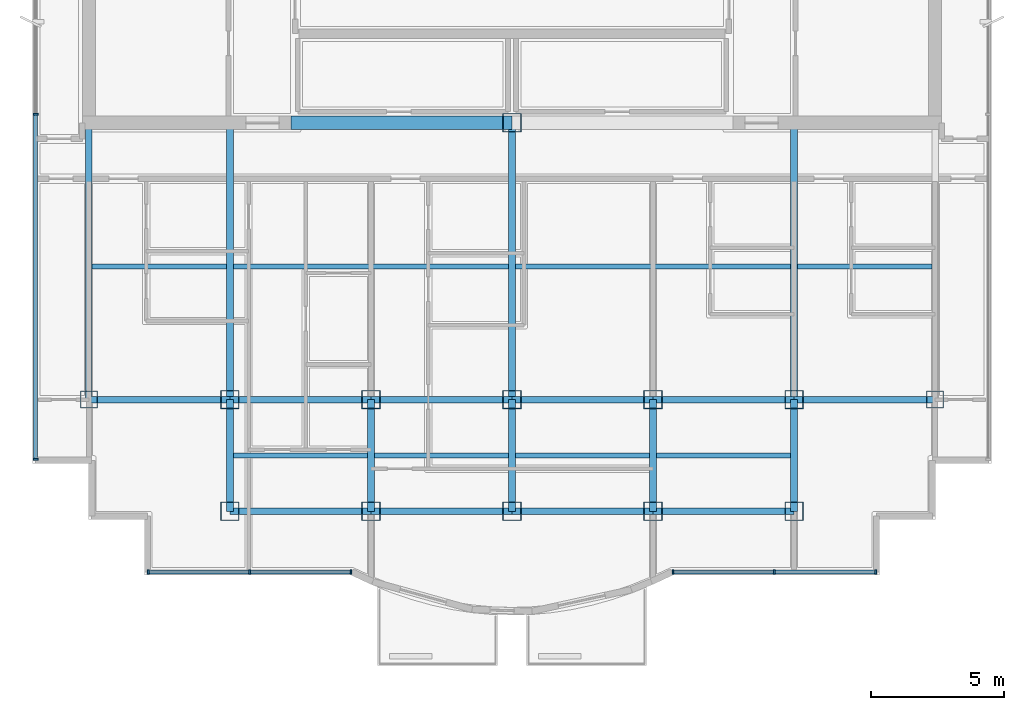
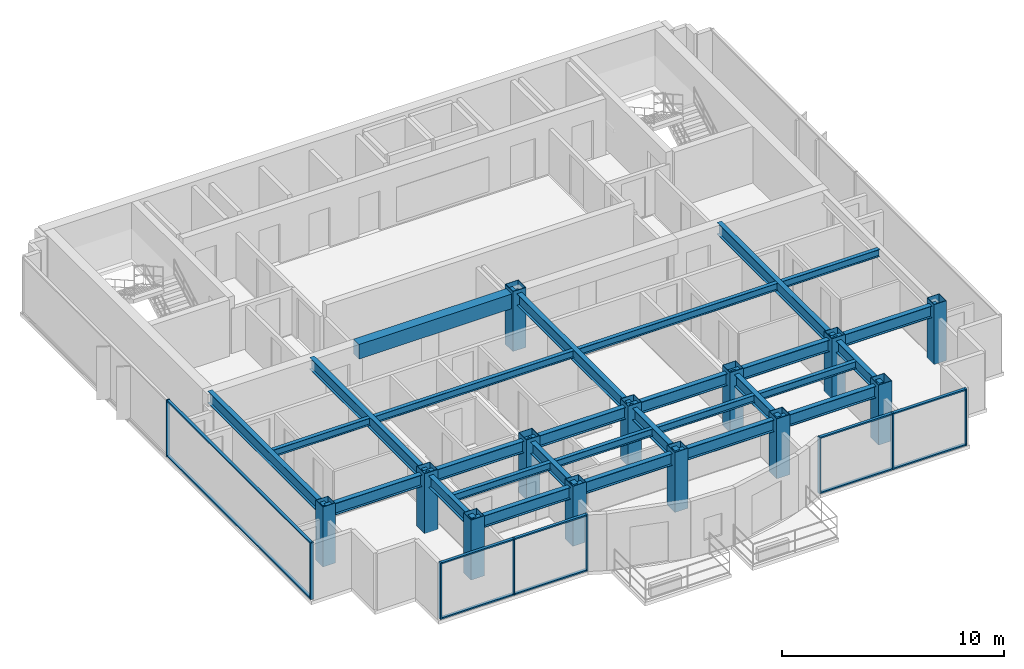
# One storey, part 1 of 10: 28 beams, 18 members, 13 columns, 3 elements without a shape of their own.
"""IFC4 building model written with IfcOpenShell, lengths in metres."""

from ifc_helpers import new_model, si_unit, direction, frame, origin, origin_2d, place, context, subcontext, project, spatial, rectangle, hollow_rectangle, i_section, extrude, source, transform, mapped, material, layer, layer_set, material_profile, profile_set, type_object, element, aggregate, save


model = new_model("IFC4")

# Units and contexts
model_context = context("Model", 3, precision=1e-05, world=origin(), true_north=direction((0.0, 1.0)))
body_context = subcontext(model_context, "Body", "Model", "MODEL_VIEW")
ifc_project = project(units=[si_unit("LENGTHUNIT", "METRE"), si_unit("AREAUNIT", "SQUARE_METRE"), si_unit("VOLUMEUNIT", "CUBIC_METRE"), si_unit("PLANEANGLEUNIT", "RADIAN"), si_unit("MASSUNIT", "GRAM", prefix="KILO")], contexts=[model_context])

# Site, building, storey
site_placement = place(None, origin())
site = spatial("IfcSite", under=ifc_project, at=site_placement, CompositionType="ELEMENT")
building_placement = place(site_placement, origin())
building = spatial("IfcBuilding", under=site, at=building_placement, Name="Qianlan Lanfeng Residences", CompositionType="ELEMENT")
storey_placement = place(building_placement, frame((0.0, 0.0, 239.60009765625)))
storey = spatial("IfcBuildingStorey", under=building, at=storey_placement, Name="L66", CompositionType="ELEMENT", Elevation=239.60009765625)

# Columns
ifc_material_1 = material(Name="Steel SN490B", Category="steel")
ifc_material_profile_1 = material_profile(ifc_material_1, hollow_rectangle(XDim=0.699951171875, YDim=0.699951171875, WallThickness=0.02490234375, at=origin_2d()), Name="BOX 700x700x25")
ifc_profile_set_1 = profile_set([ifc_material_profile_1], Name="Steel SN490B")
column_type_1 = type_object("IfcColumnType", Name="C-B750", PredefinedType="COLUMN", material=ifc_profile_set_1)
for number, where, z_axis, x_axis, name in (
    (1, (26.5, 25.199951171875, 0.0), (0.0, 0.0, 1.0), (1.0, 0.0, 0.0), "L66 Structural Column CP_26.5_25.2"),
    (2, (15.89990234375, 14.800048828125, 0.0), (0.0, 0.0, 1.0), (1.0, 0.0, 0.0), "L66 Structural Column M_15.90_14.80"),
    (3, (15.89990234375, 10.60009765625, 0.0), (0.0, 0.0, 1.0), (1.0, 0.0, 0.0), "L66 Structural Column G_15.90_10.60"),
    (4, (21.199951171875, 14.800048828125, 0.0), (0.0, 0.0, 1.0), (1.0, 0.0, 0.0), "L66 Structural Column M_21.20_14.80"),
    (5, (21.199951171875, 10.60009765625, 0.0), (0.0, 0.0, 1.0), (1.0, 0.0, 0.0), "L66 Structural Column G_21.20_10.60"),
    (6, (26.5, 14.800048828125, 0.0), (0.0, 0.0, 1.0), (1.0, 0.0, 0.0), "L66 Structural Column M_26.50_14.80"),
    (7, (26.5, 10.60009765625, 0.0), (0.0, 0.0, 1.0), (1.0, 0.0, 0.0), "L66 Structural Column G_26.50_10.60"),
    (8, (31.800048828125, 14.800048828125, 0.0), (0.0, 0.0, 1.0), (1.0, 0.0, 0.0), "L66 Structural Column M_31.80_14.80"),
    (9, (31.800048828125, 10.60009765625, 0.0), (0.0, 0.0, 1.0), (1.0, 0.0, 0.0), "L66 Structural Column G_31.80_10.60"),
    (10, (37.10009765625, 14.800048828125, 0.0), (0.0, 0.0, 1.0), (1.0, 0.0, 0.0), "L66 Structural Column M_37.10_14.80"),
    (11, (37.10009765625, 10.60009765625, 0.0), (0.0, 0.0, 1.0), (1.0, 0.0, 0.0), "L66 Structural Column G_37.10_10.60"),
):
    element("IfcColumn", number, at=place(storey_placement, frame(where, z_axis=z_axis, x_axis=x_axis)), inside=storey, type_object=column_type_1, Name=name, PredefinedType="COLUMN", context=body_context, shape_type="SweptSolid", body=[
        extrude(hollow_rectangle(XDim=0.699951171875, YDim=0.699951171875, WallThickness=0.02490234375, at=origin_2d()), origin(), (0.0, 0.0, 1.0), 3.2998046875),
    ])
ifc_material_profile_2 = material_profile(ifc_material_1, hollow_rectangle(XDim=0.64990234375, YDim=0.64990234375, WallThickness=0.02197265625, at=origin_2d()), Name="BOX 650x650x22")
ifc_profile_set_2 = profile_set([ifc_material_profile_2], Name="Steel SN490B")
column_type_2 = type_object("IfcColumnType", Name="CE-B700", PredefinedType="COLUMN", material=ifc_profile_set_2)
for number, where, z_axis, x_axis, name in (
    (12, (10.60009765625, 14.800048828125, 0.0), (0.0, 0.0, 1.0), (1.0, 0.0, 0.0), "L66 Structural Column M_10.60_14.80"),
    (13, (42.39990234375, 14.800048828125, 0.0), (0.0, 0.0, 1.0), (1.0, 0.0, 0.0), "L66 Structural Column M_42.40_14.80"),
):
    element("IfcColumn", number, at=place(storey_placement, frame(where, z_axis=z_axis, x_axis=x_axis)), inside=storey, type_object=column_type_2, Name=name, PredefinedType="COLUMN", context=body_context, shape_type="SweptSolid", body=[
        extrude(hollow_rectangle(XDim=0.64990234375, YDim=0.64990234375, WallThickness=0.02197265625, at=origin_2d()), origin(), (0.0, 0.0, 1.0), 3.2998046875),
    ])

# Beams
ifc_material_profile_3 = material_profile(ifc_material_1, i_section(OverallWidth=0.25, OverallDepth=0.64990234375, WebThickness=0.012939453125, FlangeThickness=0.02197265625, at=origin_2d()), Name="H 650x250x13x22")
ifc_profile_set_3 = profile_set([ifc_material_profile_3], Name="Steel SN490B")
beam_type_1 = type_object("IfcBeamType", Name="G-650", PredefinedType="BEAM", material=ifc_profile_set_3)
for number, where, z_axis, x_axis, name in (
    (14, (15.89990234375, 10.60009765625, 2.784912109375), (1.0, 0.0, 0.0), (0.0, 1.0, 0.0), "Structural beam G-650"),
    (15, (21.199951171875, 10.60009765625, 2.784912109375), (1.0, 0.0, 0.0), (0.0, 1.0, 0.0), "Structural beam G-650"),
    (16, (26.5, 10.60009765625, 2.784912109375), (1.0, 0.0, 0.0), (0.0, 1.0, 0.0), "Structural beam G-650"),
    (17, (31.800048828125, 10.60009765625, 2.784912109375), (1.0, 0.0, 0.0), (0.0, 1.0, 0.0), "Structural beam G-650"),
):
    element("IfcBeam", number, at=place(storey_placement, frame(where, z_axis=z_axis, x_axis=x_axis)), inside=storey, type_object=beam_type_1, Name=name, PredefinedType="BEAM", context=body_context, shape_type="SweptSolid", body=[
        extrude(i_section(OverallWidth=0.25, OverallDepth=0.64990234375, WebThickness=0.012939453125, FlangeThickness=0.02197265625, at=origin_2d()), origin(), (0.0, 0.0, 1.0), 5.300048828125),
    ])
beam_1_placement = place(storey_placement, frame((10.60009765625, 14.800048828125, 2.784912109375), z_axis=(1.0, 0.0, 0.0), x_axis=(0.0, 1.0, 0.0)))
element("IfcBeam", 18, at=beam_1_placement, inside=storey, type_object=beam_type_1, Name="Structural beam G-650", PredefinedType="BEAM", context=body_context, shape_type="SweptSolid", body=[
    extrude(i_section(OverallWidth=0.25, OverallDepth=0.64990234375, WebThickness=0.012939453125, FlangeThickness=0.02197265625, at=origin_2d()), origin(), (0.0, 0.0, 1.0), 5.2998046875),
])
for number, where, z_axis, x_axis, name in (
    (19, (15.89990234375, 14.800048828125, 2.784912109375), (1.0, 0.0, 0.0), (0.0, 1.0, 0.0), "Structural beam G-650"),
    (20, (21.199951171875, 14.800048828125, 2.784912109375), (1.0, 0.0, 0.0), (0.0, 1.0, 0.0), "Structural beam G-650"),
    (21, (26.5, 14.800048828125, 2.784912109375), (1.0, 0.0, 0.0), (0.0, 1.0, 0.0), "Structural beam G-650"),
    (22, (31.800048828125, 14.800048828125, 2.784912109375), (1.0, 0.0, 0.0), (0.0, 1.0, 0.0), "Structural beam G-650"),
):
    element("IfcBeam", number, at=place(storey_placement, frame(where, z_axis=z_axis, x_axis=x_axis)), inside=storey, type_object=beam_type_1, Name=name, PredefinedType="BEAM", context=body_context, shape_type="SweptSolid", body=[
        extrude(i_section(OverallWidth=0.25, OverallDepth=0.64990234375, WebThickness=0.012939453125, FlangeThickness=0.02197265625, at=origin_2d()), origin(), (0.0, 0.0, 1.0), 5.300048828125),
    ])
beam_2_placement = place(storey_placement, frame((37.10009765625, 14.800048828125, 2.784912109375), z_axis=(1.0, 0.0, 0.0), x_axis=(0.0, 1.0, 0.0)))
element("IfcBeam", 23, at=beam_2_placement, inside=storey, type_object=beam_type_1, Name="Structural beam G-650", PredefinedType="BEAM", context=body_context, shape_type="SweptSolid", body=[
    extrude(i_section(OverallWidth=0.25, OverallDepth=0.64990234375, WebThickness=0.012939453125, FlangeThickness=0.02197265625, at=origin_2d()), origin(), (0.0, 0.0, 1.0), 5.2998046875),
])
beam_3_placement = place(storey_placement, frame((10.60009765625, 14.800048828125, 2.784912109375), z_axis=(0.0, 1.0, 0.0), x_axis=(-1.0, 0.0, 0.0)))
element("IfcBeam", 24, at=beam_3_placement, inside=storey, type_object=beam_type_1, Name="Structural beam G-650", PredefinedType="BEAM", context=body_context, shape_type="SweptSolid", body=[
    extrude(i_section(OverallWidth=0.25, OverallDepth=0.64990234375, WebThickness=0.012939453125, FlangeThickness=0.02197265625, at=origin_2d()), origin(), (0.0, 0.0, 1.0), 10.39990234375),
])
beam_4_placement = place(storey_placement, frame((15.89990234375, 10.60009765625, 2.784912109375), z_axis=(0.0, 1.0, 0.0), x_axis=(-1.0, 0.0, 0.0)))
element("IfcBeam", 25, at=beam_4_placement, inside=storey, type_object=beam_type_1, Name="Structural beam G-650", PredefinedType="BEAM", context=body_context, shape_type="SweptSolid", body=[
    extrude(i_section(OverallWidth=0.25, OverallDepth=0.64990234375, WebThickness=0.012939453125, FlangeThickness=0.02197265625, at=origin_2d()), origin(), (0.0, 0.0, 1.0), 4.199951171875),
])
beam_5_placement = place(storey_placement, frame((15.89990234375, 14.800048828125, 2.784912109375), z_axis=(0.0, 1.0, 0.0), x_axis=(-1.0, 0.0, 0.0)))
element("IfcBeam", 26, at=beam_5_placement, inside=storey, type_object=beam_type_1, Name="Structural beam G-650", PredefinedType="BEAM", context=body_context, shape_type="SweptSolid", body=[
    extrude(i_section(OverallWidth=0.25, OverallDepth=0.64990234375, WebThickness=0.012939453125, FlangeThickness=0.02197265625, at=origin_2d()), origin(), (0.0, 0.0, 1.0), 10.39990234375),
])
for number, where, z_axis, x_axis, name in (
    (27, (21.199951171875, 10.60009765625, 2.784912109375), (0.0, 1.0, 0.0), (-1.0, 0.0, 0.0), "Structural beam G-650"),
    (28, (26.5, 10.60009765625, 2.784912109375), (0.0, 1.0, 0.0), (-1.0, 0.0, 0.0), "Structural beam G-650"),
):
    element("IfcBeam", number, at=place(storey_placement, frame(where, z_axis=z_axis, x_axis=x_axis)), inside=storey, type_object=beam_type_1, Name=name, PredefinedType="BEAM", context=body_context, shape_type="SweptSolid", body=[
        extrude(i_section(OverallWidth=0.25, OverallDepth=0.64990234375, WebThickness=0.012939453125, FlangeThickness=0.02197265625, at=origin_2d()), origin(), (0.0, 0.0, 1.0), 4.199951171875),
    ])
beam_6_placement = place(storey_placement, frame((26.5, 14.800048828125, 2.784912109375), z_axis=(0.0, 1.0, 0.0), x_axis=(-1.0, 0.0, 0.0)))
element("IfcBeam", 29, at=beam_6_placement, inside=storey, type_object=beam_type_1, Name="Structural beam G-650", PredefinedType="BEAM", context=body_context, shape_type="SweptSolid", body=[
    extrude(i_section(OverallWidth=0.25, OverallDepth=0.64990234375, WebThickness=0.012939453125, FlangeThickness=0.02197265625, at=origin_2d()), origin(), (0.0, 0.0, 1.0), 10.39990234375),
])
for number, where, z_axis, x_axis, name in (
    (30, (31.800048828125, 10.60009765625, 2.784912109375), (0.0, 1.0, 0.0), (-1.0, 0.0, 0.0), "Structural beam G-650"),
    (31, (37.10009765625, 10.60009765625, 2.784912109375), (0.0, 1.0, 0.0), (-1.0, 0.0, 0.0), "Structural beam G-650"),
):
    element("IfcBeam", number, at=place(storey_placement, frame(where, z_axis=z_axis, x_axis=x_axis)), inside=storey, type_object=beam_type_1, Name=name, PredefinedType="BEAM", context=body_context, shape_type="SweptSolid", body=[
        extrude(i_section(OverallWidth=0.25, OverallDepth=0.64990234375, WebThickness=0.012939453125, FlangeThickness=0.02197265625, at=origin_2d()), origin(), (0.0, 0.0, 1.0), 4.199951171875),
    ])
beam_7_placement = place(storey_placement, frame((37.10009765625, 14.800048828125, 2.784912109375), z_axis=(0.0, 1.0, 0.0), x_axis=(-1.0, 0.0, 0.0)))
element("IfcBeam", 32, at=beam_7_placement, inside=storey, type_object=beam_type_1, Name="Structural beam G-650", PredefinedType="BEAM", context=body_context, shape_type="SweptSolid", body=[
    extrude(i_section(OverallWidth=0.25, OverallDepth=0.64990234375, WebThickness=0.012939453125, FlangeThickness=0.02197265625, at=origin_2d()), origin(), (0.0, 0.0, 1.0), 10.39990234375),
])
ifc_material_profile_4 = material_profile(ifc_material_1, i_section(OverallWidth=0.199951171875, OverallDepth=0.39990234375, WebThickness=0.008056640625, FlangeThickness=0.012939453125, at=origin_2d()), Name="H 400x200x8x13")
ifc_profile_set_4 = profile_set([ifc_material_profile_4], Name="Steel SN490B")
beam_type_2 = type_object("IfcBeamType", Name="J-400", PredefinedType="JOIST", material=ifc_profile_set_4)
for number, where, z_axis, x_axis, name in (
    (33, (16.02490234375, 12.699951171875, 2.909912109375), (1.0, 0.0, 0.0), (0.0, 1.0, 0.0), "Structural beam J-400"),
    (34, (21.324951171875, 12.699951171875, 2.909912109375), (1.0, 0.0, 0.0), (0.0, 1.0, 0.0), "Structural beam J-400"),
    (35, (26.625, 12.699951171875, 2.909912109375), (1.0, 0.0, 0.0), (0.0, 1.0, 0.0), "Structural beam J-400"),
    (36, (31.925048828125, 12.699951171875, 2.909912109375), (1.0, 0.0, 0.0), (0.0, 1.0, 0.0), "Structural beam J-400"),
):
    element("IfcBeam", number, at=place(storey_placement, frame(where, z_axis=z_axis, x_axis=x_axis)), inside=storey, type_object=beam_type_2, Name=name, PredefinedType="JOIST", context=body_context, shape_type="SweptSolid", body=[
        extrude(i_section(OverallWidth=0.199951171875, OverallDepth=0.39990234375, WebThickness=0.008056640625, FlangeThickness=0.012939453125, at=origin_2d()), origin(), (0.0, 0.0, 1.0), 5.050048828125),
    ])
beam_8_placement = place(storey_placement, frame((10.72509765625, 19.800048828125, 2.909912109375), z_axis=(1.0, 0.0, 0.0), x_axis=(0.0, 1.0, 0.0)))
element("IfcBeam", 37, at=beam_8_placement, inside=storey, type_object=beam_type_2, Name="Structural beam J-400", PredefinedType="JOIST", context=body_context, shape_type="SweptSolid", body=[
    extrude(i_section(OverallWidth=0.199951171875, OverallDepth=0.39990234375, WebThickness=0.008056640625, FlangeThickness=0.012939453125, at=origin_2d()), origin(), (0.0, 0.0, 1.0), 5.0498046875),
])
for number, where, z_axis, x_axis, name in (
    (38, (16.02490234375, 19.800048828125, 2.909912109375), (1.0, 0.0, 0.0), (0.0, 1.0, 0.0), "Structural beam J-400"),
    (39, (26.625, 19.800048828125, 2.909912109375), (1.0, 0.0, 0.0), (0.0, 1.0, 0.0), "Structural beam J-400"),
):
    element("IfcBeam", number, at=place(storey_placement, frame(where, z_axis=z_axis, x_axis=x_axis)), inside=storey, type_object=beam_type_2, Name=name, PredefinedType="JOIST", context=body_context, shape_type="SweptSolid", body=[
        extrude(i_section(OverallWidth=0.199951171875, OverallDepth=0.39990234375, WebThickness=0.008056640625, FlangeThickness=0.012939453125, at=origin_2d()), origin(), (0.0, 0.0, 1.0), 10.35009765625),
    ])
beam_9_placement = place(storey_placement, frame((37.22509765625, 19.800048828125, 2.909912109375), z_axis=(1.0, 0.0, 0.0), x_axis=(0.0, 1.0, 0.0)))
element("IfcBeam", 40, at=beam_9_placement, inside=storey, type_object=beam_type_2, Name="Structural beam J-400", PredefinedType="JOIST", context=body_context, shape_type="SweptSolid", body=[
    extrude(i_section(OverallWidth=0.199951171875, OverallDepth=0.39990234375, WebThickness=0.008056640625, FlangeThickness=0.012939453125, at=origin_2d()), origin(), (0.0, 0.0, 1.0), 5.0498046875),
])
ifc_material_2 = material(Name="Concrete C49", Category="concrete")
ifc_material_profile_5 = material_profile(ifc_material_2, rectangle(XDim=0.5, YDim=0.800048828125, at=origin_2d()), Name="RC 500x800")
ifc_profile_set_5 = profile_set([ifc_material_profile_5], Name="Concrete C49")
beam_type_3 = type_object("IfcBeamType", Name="LB-RC750", PredefinedType="BEAM", material=ifc_profile_set_5)
beam_10_placement = place(storey_placement, frame((18.199951171875, 25.199951171875, 2.7099609375), z_axis=(1.0, 0.0, 0.0), x_axis=(0.0, 1.0, 0.0)))
element("IfcBeam", 41, at=beam_10_placement, inside=storey, type_object=beam_type_3, Name="L66 Core Coupling Beam W", PredefinedType="BEAM", context=body_context, shape_type="SweptSolid", body=[
    extrude(rectangle(XDim=0.5, YDim=0.800048828125, at=origin_2d()), origin(), (0.0, 0.0, 1.0), 8.300048828125),
])

# Curtain wall, members
ifc_material_3 = material(Name="Anodised Bronze Aluminium 6063-T6", Category="aluminium")
ifc_layer = layer(ifc_material_3, 0.219970703125)
ifc_layer_set = layer_set([ifc_layer], Name="Anodised Bronze Aluminium 6063-T6")
curtain_wall_type = type_object("IfcCurtainWallType", Name="CW-06", PredefinedType="NOTDEFINED", material=ifc_layer_set)
curtain_wall_1_placement = place(storey_placement, origin())
curtain_wall_1 = element("IfcCurtainWall", 42, at=curtain_wall_1_placement, inside=storey, type_object=curtain_wall_type, Name="L66 Unitised Curtain Wall CWR-L66-01 (CW-06)", PredefinedType="NOTDEFINED")
ifc_material_profile_6 = material_profile(ifc_material_3, rectangle(XDim=0.074951171875, YDim=0.179931640625, at=origin_2d()), Name="ALU MULLION 75x180")
ifc_profile_set_6 = profile_set([ifc_material_profile_6], Name="Anodised Bronze Aluminium 6063-T6")
member_type_1 = type_object("IfcMemberType", Name="CWM-180", PredefinedType="MULLION", material=ifc_profile_set_6)
shared_shape_1 = source(origin(), body_context, "Body", "SweptSolid", [
    extrude(rectangle(XDim=0.074951171875, YDim=0.179931640625, at=origin_2d()), origin(), (0.0, 0.0, 1.0), 3.10986328125),
])
member_1_placement = place(storey_placement, frame((12.83740234375, 8.320068359375, 0.0), z_axis=(0.0, 0.0, 1.0), x_axis=(1.0, 0.0, 0.0)))
member_1 = element("IfcMember", 43, at=member_1_placement, type_object=member_type_1, Name="CWR-L66-01 Mullion 1", PredefinedType="MULLION", context=body_context, shape_type="MappedRepresentation", body=[
    mapped(shared_shape_1, transform((0.0, 0.0, 0.0), scale=1.0)),
])
member_2_placement = place(storey_placement, frame((16.6435546875, 8.320068359375, 0.0), z_axis=(0.0, 0.0, 1.0), x_axis=(1.0, 0.0, 0.0)))
member_2 = element("IfcMember", 44, at=member_2_placement, type_object=member_type_1, Name="CWR-L66-01 Mullion 2", PredefinedType="MULLION", context=body_context, shape_type="MappedRepresentation", body=[
    mapped(shared_shape_1, transform((0.0, 0.0, 0.0), scale=1.0)),
])
member_3_placement = place(storey_placement, frame((20.449462890625, 8.320068359375, 0.0), z_axis=(0.0, 0.0, 1.0), x_axis=(1.0, 0.0, 0.0)))
member_3 = element("IfcMember", 45, at=member_3_placement, type_object=member_type_1, Name="CWR-L66-01 Mullion 3", PredefinedType="MULLION", context=body_context, shape_type="MappedRepresentation", body=[
    mapped(shared_shape_1, transform((0.0, 0.0, 0.0), scale=1.0)),
])

curtain_wall_2_placement = place(storey_placement, origin())
curtain_wall_2 = element("IfcCurtainWall", 46, at=curtain_wall_2_placement, inside=storey, type_object=curtain_wall_type, Name="L66 Unitised Curtain Wall CWR-L66-02 (CW-06)", PredefinedType="NOTDEFINED")
member_4_placement = place(storey_placement, frame((32.550537109375, 8.320068359375, 0.0), z_axis=(0.0, 0.0, 1.0), x_axis=(1.0, 0.0, 0.0)))
member_4 = element("IfcMember", 47, at=member_4_placement, type_object=member_type_1, Name="CWR-L66-02 Mullion 1", PredefinedType="MULLION", context=body_context, shape_type="MappedRepresentation", body=[
    mapped(shared_shape_1, transform((0.0, 0.0, 0.0), scale=1.0)),
])
member_5_placement = place(storey_placement, frame((36.3564453125, 8.320068359375, 0.0), z_axis=(0.0, 0.0, 1.0), x_axis=(1.0, 0.0, 0.0)))
member_5 = element("IfcMember", 48, at=member_5_placement, type_object=member_type_1, Name="CWR-L66-02 Mullion 2", PredefinedType="MULLION", context=body_context, shape_type="MappedRepresentation", body=[
    mapped(shared_shape_1, transform((0.0, 0.0, 0.0), scale=1.0)),
])
member_6_placement = place(storey_placement, frame((40.16259765625, 8.320068359375, 0.0), z_axis=(0.0, 0.0, 1.0), x_axis=(1.0, 0.0, 0.0)))
member_6 = element("IfcMember", 49, at=member_6_placement, type_object=member_type_1, Name="CWR-L66-02 Mullion 3", PredefinedType="MULLION", context=body_context, shape_type="MappedRepresentation", body=[
    mapped(shared_shape_1, transform((0.0, 0.0, 0.0), scale=1.0)),
])

curtain_wall_3_placement = place(storey_placement, origin())
curtain_wall_3 = element("IfcCurtainWall", 50, at=curtain_wall_3_placement, inside=storey, type_object=curtain_wall_type, Name="L66 Unitised Curtain Wall CWR-L66-04 (CW-06)", PredefinedType="NOTDEFINED")
member_7_placement = place(storey_placement, frame((8.60009765625, 25.52490234375, 0.0), z_axis=(0.0, 0.0, 1.0), x_axis=(0.0, -1.0, 0.0)))
member_7 = element("IfcMember", 51, at=member_7_placement, type_object=member_type_1, Name="CWR-L66-04 Mullion 2", PredefinedType="MULLION", context=body_context, shape_type="MappedRepresentation", body=[
    mapped(shared_shape_1, transform((0.0, 0.0, 0.0), scale=1.0)),
])
member_8_placement = place(storey_placement, frame((8.60009765625, 12.5576171875, 0.0), z_axis=(0.0, 0.0, 1.0), x_axis=(0.0, -1.0, 0.0)))
member_8 = element("IfcMember", 52, at=member_8_placement, type_object=member_type_1, Name="CWR-L66-04 Mullion 3", PredefinedType="MULLION", context=body_context, shape_type="MappedRepresentation", body=[
    mapped(shared_shape_1, transform((0.0, 0.0, 0.0), scale=1.0)),
])

# Member
ifc_material_profile_7 = material_profile(ifc_material_3, rectangle(XDim=0.074951171875, YDim=0.14990234375, at=origin_2d()), Name="ALU TRANSOM 75x150")
ifc_profile_set_7 = profile_set([ifc_material_profile_7], Name="Anodised Bronze Aluminium 6063-T6")
member_type_2 = type_object("IfcMemberType", Name="CWT-150", PredefinedType="USERDEFINED", material=ifc_profile_set_7)
shared_shape_2 = source(origin(), body_context, "Body", "SweptSolid", [
    extrude(rectangle(XDim=0.074951171875, YDim=0.14990234375, at=origin_2d()), origin(), (0.0, 0.0, 1.0), 3.73095703125),
])
member_9_placement = place(storey_placement, frame((12.875, 8.320068359375, 0.037353515625), z_axis=(1.0, 0.0, 0.0), x_axis=(0.0, 0.0, 1.0)))
member_9 = element("IfcMember", 53, at=member_9_placement, type_object=member_type_2, Name="CWR-L66-01 Transom 1-BOT", ObjectType="TRANSOM", PredefinedType="USERDEFINED", context=body_context, shape_type="MappedRepresentation", body=[
    mapped(shared_shape_2, transform((0.0, 0.0, 0.0), scale=1.0)),
])

member_10_placement = place(storey_placement, frame((12.875, 8.320068359375, 3.072509765625), z_axis=(1.0, 0.0, 0.0), x_axis=(0.0, 0.0, 1.0)))
member_10 = element("IfcMember", 54, at=member_10_placement, type_object=member_type_2, Name="CWR-L66-01 Transom 1-TOP", ObjectType="TRANSOM", PredefinedType="USERDEFINED", context=body_context, shape_type="MappedRepresentation", body=[
    mapped(shared_shape_2, transform((0.0, 0.0, 0.0), scale=1.0)),
])

member_11_placement = place(storey_placement, frame((36.39404296875, 8.320068359375, 0.037353515625), z_axis=(1.0, 0.0, 0.0), x_axis=(0.0, 0.0, 1.0)))
member_11 = element("IfcMember", 55, at=member_11_placement, type_object=member_type_2, Name="CWR-L66-02 Transom 2-BOT", ObjectType="TRANSOM", PredefinedType="USERDEFINED", context=body_context, shape_type="MappedRepresentation", body=[
    mapped(shared_shape_2, transform((0.0, 0.0, 0.0), scale=1.0)),
])

member_12_placement = place(storey_placement, frame((36.39404296875, 8.320068359375, 3.072509765625), z_axis=(1.0, 0.0, 0.0), x_axis=(0.0, 0.0, 1.0)))
member_12 = element("IfcMember", 56, at=member_12_placement, type_object=member_type_2, Name="CWR-L66-02 Transom 2-TOP", ObjectType="TRANSOM", PredefinedType="USERDEFINED", context=body_context, shape_type="MappedRepresentation", body=[
    mapped(shared_shape_2, transform((0.0, 0.0, 0.0), scale=1.0)),
])

shared_shape_3 = source(origin(), body_context, "Body", "SweptSolid", [
    extrude(rectangle(XDim=0.074951171875, YDim=0.14990234375, at=origin_2d()), origin(), (0.0, 0.0, 1.0), 3.731201171875),
])
member_13_placement = place(storey_placement, frame((16.680908203125, 8.320068359375, 0.037353515625), z_axis=(1.0, 0.0, 0.0), x_axis=(0.0, 0.0, 1.0)))
member_13 = element("IfcMember", 57, at=member_13_placement, type_object=member_type_2, Name="CWR-L66-01 Transom 2-BOT", ObjectType="TRANSOM", PredefinedType="USERDEFINED", context=body_context, shape_type="MappedRepresentation", body=[
    mapped(shared_shape_3, transform((0.0, 0.0, 0.0), scale=1.0)),
])

member_14_placement = place(storey_placement, frame((16.680908203125, 8.320068359375, 3.072509765625), z_axis=(1.0, 0.0, 0.0), x_axis=(0.0, 0.0, 1.0)))
member_14 = element("IfcMember", 58, at=member_14_placement, type_object=member_type_2, Name="CWR-L66-01 Transom 2-TOP", ObjectType="TRANSOM", PredefinedType="USERDEFINED", context=body_context, shape_type="MappedRepresentation", body=[
    mapped(shared_shape_3, transform((0.0, 0.0, 0.0), scale=1.0)),
])

aggregate(curtain_wall_1, [member_1, member_2, member_3, member_9, member_10, member_13, member_14])

member_15_placement = place(storey_placement, frame((32.587890625, 8.320068359375, 0.037353515625), z_axis=(1.0, 0.0, 0.0), x_axis=(0.0, 0.0, 1.0)))
member_15 = element("IfcMember", 59, at=member_15_placement, type_object=member_type_2, Name="CWR-L66-02 Transom 1-BOT", ObjectType="TRANSOM", PredefinedType="USERDEFINED", context=body_context, shape_type="MappedRepresentation", body=[
    mapped(shared_shape_3, transform((0.0, 0.0, 0.0), scale=1.0)),
])

member_16_placement = place(storey_placement, frame((32.587890625, 8.320068359375, 3.072509765625), z_axis=(1.0, 0.0, 0.0), x_axis=(0.0, 0.0, 1.0)))
member_16 = element("IfcMember", 60, at=member_16_placement, type_object=member_type_2, Name="CWR-L66-02 Transom 1-TOP", ObjectType="TRANSOM", PredefinedType="USERDEFINED", context=body_context, shape_type="MappedRepresentation", body=[
    mapped(shared_shape_3, transform((0.0, 0.0, 0.0), scale=1.0)),
])

aggregate(curtain_wall_2, [member_4, member_5, member_6, member_15, member_16, member_11, member_12])

shared_shape_4 = source(origin(), body_context, "Body", "SweptSolid", [
    extrude(rectangle(XDim=0.074951171875, YDim=0.14990234375, at=origin_2d()), origin(), (0.0, 0.0, 1.0), 12.892578125),
])
member_17_placement = place(storey_placement, frame((8.60009765625, 25.487548828125, 0.037353515625), z_axis=(0.0, -1.0, 0.0), x_axis=(0.0, 0.0, 1.0)))
member_17 = element("IfcMember", 61, at=member_17_placement, type_object=member_type_2, Name="CWR-L66-04 Transom 2-BOT", ObjectType="TRANSOM", PredefinedType="USERDEFINED", context=body_context, shape_type="MappedRepresentation", body=[
    mapped(shared_shape_4, transform((0.0, 0.0, 0.0), scale=1.0)),
])

member_18_placement = place(storey_placement, frame((8.60009765625, 25.487548828125, 3.072509765625), z_axis=(0.0, -1.0, 0.0), x_axis=(0.0, 0.0, 1.0)))
member_18 = element("IfcMember", 62, at=member_18_placement, type_object=member_type_2, Name="CWR-L66-04 Transom 2-TOP", ObjectType="TRANSOM", PredefinedType="USERDEFINED", context=body_context, shape_type="MappedRepresentation", body=[
    mapped(shared_shape_4, transform((0.0, 0.0, 0.0), scale=1.0)),
])

aggregate(curtain_wall_3, [member_7, member_8, member_17, member_18])

save(model, "model.ifc")
